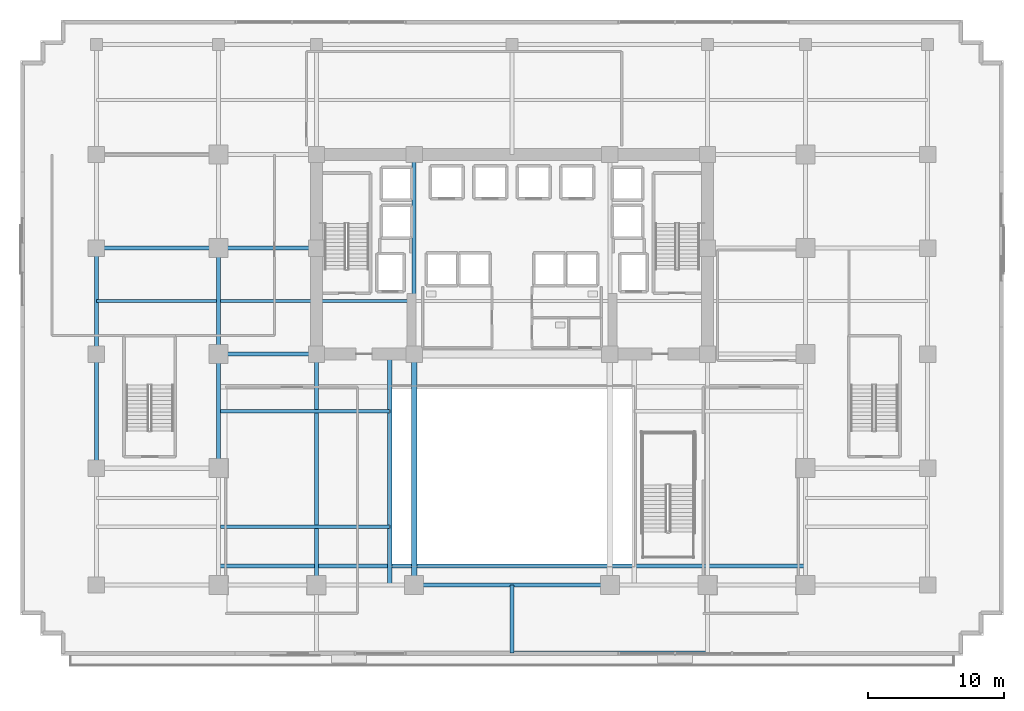
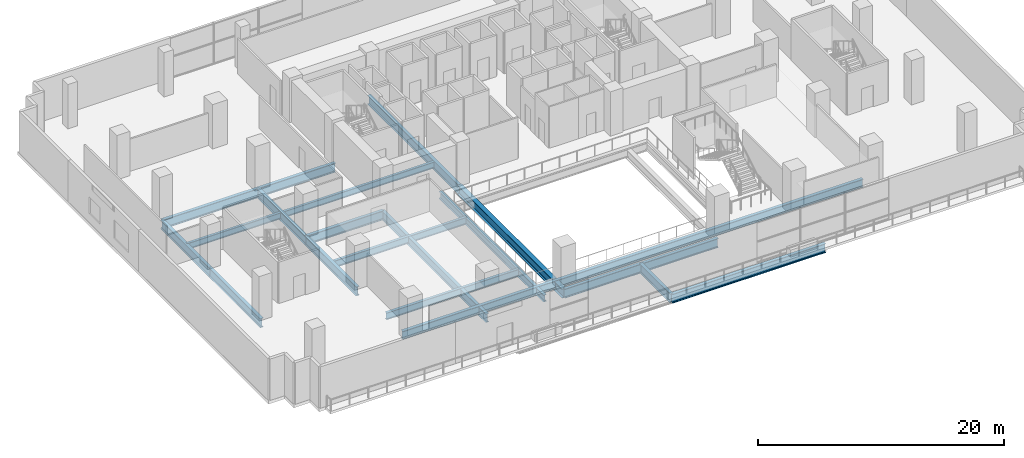
# One storey, part 3 of 23: 19 beams.
"""IFC4 building model written with IfcOpenShell, lengths in metres."""

import ifcopenshell
import ifcopenshell.guid

model = None  # the IFC model being written
_history = None  # IfcOwnerHistory: only IFC2X3 demands one
_inside = {}  # id of a spatial element -> (the spatial element, [elements in it])
_under = {}  # id of a project, library or spatial element -> (it, [spatial elements below it])
_declared = {}  # id of a project -> (the project, [libraries it declares])
_typed = {}  # id of a type object -> (the type object, [elements of that type])
_made_of = {}  # id of a material, layer set ... -> (it, [elements and type objects made of it])


def new_model(schema):
    """Start an empty IFC model of exactly this schema.

    Asked for "IFC4X3", IfcOpenShell would pick the latest addendum, in which some entities
    have other attributes; the version numbers below select the first issue.
    IFC2X3 requires an IfcOwnerHistory on every rooted entity: one is made here for all.
    """
    global model, _history
    if schema == "IFC4X3":
        model = ifcopenshell.file(schema_version=(4, 3, 0, 0))
    else:
        model = ifcopenshell.file(schema=schema)
    _inside.clear()
    _under.clear()
    _declared.clear()
    _typed.clear()
    _made_of.clear()
    _history = None
    if model.schema == "IFC2X3":
        org = make("IfcOrganization", Name="unknown")
        user = make(
            "IfcPersonAndOrganization",
            ThePerson=make("IfcPerson", FamilyName="unknown"),
            TheOrganization=org,
        )
        app = make(
            "IfcApplication",
            ApplicationDeveloper=org,
            Version="unknown",
            ApplicationFullName="unknown",
            ApplicationIdentifier="unknown",
        )
        _history = make(
            "IfcOwnerHistory",
            OwningUser=user,
            OwningApplication=app,
            ChangeAction="ADDED",
            CreationDate=0,
        )
    return model


def make(cls, **values):
    """One entity of the class cls with the attributes given. An attribute that is None is left unset."""
    return model.create_entity(
        cls, **{name: value for name, value in values.items() if value is not None}
    )


def rooted(cls, **values):
    """An entity with a GlobalId (a new one), such as an element, a storey or a relation."""
    return make(cls, GlobalId=ifcopenshell.guid.new(), OwnerHistory=_history, **values)


def si_unit(unit_type, name, prefix=None):
    """IfcSIUnit, for example si_unit("LENGTHUNIT", "METRE", prefix="MILLI")."""
    return make("IfcSIUnit", UnitType=unit_type, Prefix=prefix, Name=name)


def assignment(units):
    """IfcUnitAssignment: the units of a project."""
    return None if units is None else make("IfcUnitAssignment", Units=units)


def point(xyz):
    """IfcCartesianPoint."""
    return None if xyz is None else make("IfcCartesianPoint", Coordinates=xyz)


def direction(xyz):
    """IfcDirection."""
    return None if xyz is None else make("IfcDirection", DirectionRatios=xyz)


def frame(location, z_axis=None, x_axis=None):
    """IfcAxis2Placement3D, a coordinate frame: its origin and axes. An axis left out is left unset."""
    return make(
        "IfcAxis2Placement3D",
        Location=point(location),
        Axis=direction(z_axis),
        RefDirection=direction(x_axis),
    )


def frame_2d(location, x_axis=None):
    """IfcAxis2Placement2D, a coordinate frame in the plane: its origin and x axis."""
    return make(
        "IfcAxis2Placement2D", Location=point(location), RefDirection=direction(x_axis)
    )


def origin():
    """The frame at (0, 0, 0) with its axes left unset."""
    return frame((0.0, 0.0, 0.0))


def origin_2d():
    """The frame at (0, 0) in the plane with its x axis left unset."""
    return frame_2d((0.0, 0.0))


def place(relative_to, where):
    """IfcLocalPlacement: puts the frame where relative to a parent placement (None: the world)."""
    return make(
        "IfcLocalPlacement", PlacementRelTo=relative_to, RelativePlacement=where
    )


def context(
    kind, dimensions, precision=None, world=None, true_north=None, identifier=None
):
    """IfcGeometricRepresentationContext, for example the 3D "Model" context."""
    return make(
        "IfcGeometricRepresentationContext",
        ContextIdentifier=identifier,
        ContextType=kind,
        CoordinateSpaceDimension=dimensions,
        Precision=precision,
        WorldCoordinateSystem=world,
        TrueNorth=true_north,
    )


def subcontext(parent, identifier, kind, view, scale=None):
    """IfcGeometricRepresentationSubContext, for example "Body" below "Model"."""
    return make(
        "IfcGeometricRepresentationSubContext",
        ContextIdentifier=identifier,
        ContextType=kind,
        ParentContext=parent,
        TargetScale=scale,
        TargetView=view,
    )


def project(units=None, contexts=None):
    """IfcProject with its units and contexts."""
    return rooted(
        "IfcProject",
        Name="project",
        RepresentationContexts=contexts,
        UnitsInContext=assignment(units),
    )


def spatial(cls, under=None, at=None, **own):
    """A site, building, storey or space (cls), placed at a placement, below another one or the project."""
    s = rooted(cls, ObjectPlacement=at, **own)
    if under is not None:
        _under.setdefault(under.id(), (under, []))[1].append(s)
    return s


def profile(cls, at=None, kind="AREA", **sizes):
    """A parametric profile (cls). Its sizes go by their IFC names, for example OverallWidth=200.0."""
    return make(cls, ProfileType=kind, Position=at, **sizes)


def i_section(**sizes):
    """IfcIShapeProfileDef."""
    return profile("IfcIShapeProfileDef", **sizes)


def extrude(swept, where, along, depth):
    """IfcExtrudedAreaSolid: the profile swept, set in the frame where, extruded along a direction by depth."""
    return make(
        "IfcExtrudedAreaSolid",
        SweptArea=swept,
        Position=where,
        ExtrudedDirection=direction(along),
        Depth=depth,
    )


def shape(context_of_items, identifier, shape_type, items):
    """IfcShapeRepresentation: the items that make up one representation, for example the "Body"."""
    return make(
        "IfcShapeRepresentation",
        ContextOfItems=context_of_items,
        RepresentationIdentifier=identifier,
        RepresentationType=shape_type,
        Items=items,
    )


def material(Name=None, Category=None):
    """IfcMaterial."""
    return make("IfcMaterial", Name=Name, Category=Category)


def material_profile(
    of_material, cross_section, Name=None, Category=None, Priority=None
):
    """IfcMaterialProfile: a cross section and its material."""
    return make(
        "IfcMaterialProfile",
        Name=Name,
        Material=of_material,
        Profile=cross_section,
        Priority=Priority,
        Category=Category,
    )


def profile_set(profiles, Name=None, composite=None):
    """IfcMaterialProfileSet."""
    return make(
        "IfcMaterialProfileSet",
        Name=Name,
        MaterialProfiles=profiles,
        CompositeProfile=composite,
    )


def made_of(thing, what):
    """Note that an element or type object is made of a material, layer set ...; save() writes the relation."""
    if what is not None:
        _made_of.setdefault(what.id(), (what, []))[1].append(thing)
    return thing


def type_object(cls, material=None, **own):
    """A type object (cls), such as IfcWallType, which elements share."""
    return made_of(rooted(cls, **own), material)


def element(
    cls,
    number,
    at=None,
    inside=None,
    cuts=None,
    type_object=None,
    material=None,
    context=None,
    identifier="Body",
    shape_type=None,
    held_by="IfcProductDefinitionShape",
    body=None,
    shapes=None,
    **own,
):
    """One element of the class cls, such as IfcWall. Its Tag is "e" and its number.

    at: its placement. inside: the storey or other place that contains it. cuts: it is an
    opening in that element (IfcRelVoidsElement). A single representation is given by context,
    identifier, shape_type and body (its items); several are given by shapes. held_by: the class
    of the entity that holds the representations. save() writes the other relations.
    """
    e = rooted(cls, Tag="e%d" % number, ObjectPlacement=at, **own)
    if body is not None:
        shapes = [shape(context, identifier, shape_type, body)]
    if shapes is not None:
        e.Representation = make(held_by, Representations=shapes)
    if inside is not None:
        _inside.setdefault(inside.id(), (inside, []))[1].append(e)
    if cuts is not None:
        rooted(
            "IfcRelVoidsElement", RelatingBuildingElement=cuts, RelatedOpeningElement=e
        )
    if type_object is not None:
        _typed.setdefault(type_object.id(), (type_object, []))[1].append(e)
    return made_of(e, material)


def aggregate(whole, parts):
    """IfcRelAggregates: a whole, such as a stair, and the parts it consists of."""
    return rooted("IfcRelAggregates", RelatingObject=whole, RelatedObjects=parts)


def save(model, path):
    """Write the relations noted so far, then the file.

    IfcRelAggregates (storeys below a building ...), IfcRelContainedInSpatialStructure (elements
    in a storey), IfcRelDefinesByType, IfcRelAssociatesMaterial and IfcRelDeclares: one each for
    every whole, place, type object, material and project.
    """
    for whole, parts in _under.values():
        aggregate(whole, parts)
    for where, things in _inside.values():
        rooted(
            "IfcRelContainedInSpatialStructure",
            RelatedElements=things,
            RelatingStructure=where,
        )
    for kind, things in _typed.values():
        rooted("IfcRelDefinesByType", RelatedObjects=things, RelatingType=kind)
    for what, things in _made_of.values():
        rooted("IfcRelAssociatesMaterial", RelatedObjects=things, RelatingMaterial=what)
    for by, libraries in _declared.values():
        rooted("IfcRelDeclares", RelatingContext=by, RelatedDefinitions=libraries)
    model.write(path)


model = new_model("IFC4")

# Units and contexts
model_context = context("Model", 3, precision=1e-05, world=origin(), true_north=direction((0.0, 1.0)))
body_context = subcontext(model_context, "Body", "Model", "MODEL_VIEW")
ifc_project = project(units=[si_unit("LENGTHUNIT", "METRE"), si_unit("AREAUNIT", "SQUARE_METRE"), si_unit("VOLUMEUNIT", "CUBIC_METRE"), si_unit("PLANEANGLEUNIT", "RADIAN"), si_unit("MASSUNIT", "GRAM", prefix="KILO")], contexts=[model_context])

# Site, building, storey
site_placement = place(None, origin())
site = spatial("IfcSite", under=ifc_project, at=site_placement, CompositionType="ELEMENT")
building_placement = place(site_placement, origin())
building = spatial("IfcBuilding", under=site, at=building_placement, Name="Zarnakvel Exchange Tower", CompositionType="ELEMENT")
storey_placement = place(building_placement, frame((0.0, 0.0, 13.800048828125)))
storey = spatial("IfcBuildingStorey", under=building, at=storey_placement, Name="L03", CompositionType="ELEMENT", Elevation=13.800048828125)

# Beams
ifc_material = material(Name="Steel S355", Category="steel")
ifc_material_profile_1 = material_profile(ifc_material, i_section(OverallWidth=0.255859375, OverallDepth=0.69287109375, WebThickness=0.014404296875, FlangeThickness=0.023681640625, FilletRadius=0.01513671875, at=origin_2d()))
ifc_profile_set_1 = profile_set([ifc_material_profile_1], Name="Steel S355")
beam_type_1 = type_object("IfcBeamType", Name="B-01", PredefinedType="JOIST", material=ifc_profile_set_1)
beam_1_placement = place(storey_placement, frame((-21.449951171875, -13.89990234375, -0.646484375), z_axis=(1.0, 0.0, 0.0), x_axis=(0.0, 1.0, 0.0)))
element("IfcBeam", 1, at=beam_1_placement, inside=storey, type_object=beam_type_1, Name="L03 Exchange Hall Atrium Trimmer West", PredefinedType="JOIST", context=body_context, shape_type="SweptSolid", body=[
    extrude(i_section(OverallWidth=0.255859375, OverallDepth=0.69287109375, WebThickness=0.014404296875, FlangeThickness=0.023681640625, FilletRadius=0.01513671875, at=origin_2d()), origin(), (0.0, 0.0, 1.0), 12.449951171875),
])
beam_2_placement = place(storey_placement, frame((-21.60009765625, -5.39990234375, -0.646484375), z_axis=(1.0, 0.0, 0.0), x_axis=(0.0, 1.0, 0.0)))
element("IfcBeam", 2, at=beam_2_placement, inside=storey, type_object=beam_type_1, Name="L03 Exchange Hall Atrium Trimmer West", PredefinedType="JOIST", context=body_context, shape_type="SweptSolid", body=[
    extrude(i_section(OverallWidth=0.255859375, OverallDepth=0.69287109375, WebThickness=0.014404296875, FlangeThickness=0.023681640625, FilletRadius=0.01513671875, at=origin_2d()), origin(), (0.0, 0.0, 1.0), 12.60009765625),
])
ifc_material_profile_2 = material_profile(ifc_material, i_section(OverallWidth=0.230224609375, OverallDepth=0.6171875, WebThickness=0.01318359375, FlangeThickness=0.022216796875, FilletRadius=0.0126953125, at=origin_2d()))
ifc_profile_set_2 = profile_set([ifc_material_profile_2], Name="Steel S355")
beam_type_2 = type_object("IfcBeamType", Name="B-02", PredefinedType="JOIST", material=ifc_profile_set_2)
beam_3_placement = place(storey_placement, frame((-30.60009765625, 2.699951171875, -0.608642578125), z_axis=(1.0, 0.0, 0.0), x_axis=(0.0, 1.0, 0.0)))
element("IfcBeam", 3, at=beam_3_placement, inside=storey, type_object=beam_type_2, Name="L03 Secondary Floor Joist", PredefinedType="JOIST", context=body_context, shape_type="SweptSolid", body=[
    extrude(i_section(OverallWidth=0.230224609375, OverallDepth=0.6171875, WebThickness=0.01318359375, FlangeThickness=0.022216796875, FilletRadius=0.0126953125, at=origin_2d()), origin(), (0.0, 0.0, 1.0), 8.85009765625),
])
beam_4_placement = place(storey_placement, frame((-21.449951171875, 2.699951171875, -0.608642578125), z_axis=(1.0, 0.0, 0.0), x_axis=(0.0, 1.0, 0.0)))
element("IfcBeam", 4, at=beam_4_placement, inside=storey, type_object=beam_type_2, Name="L03 Secondary Floor Joist", PredefinedType="JOIST", context=body_context, shape_type="SweptSolid", body=[
    extrude(i_section(OverallWidth=0.230224609375, OverallDepth=0.6171875, WebThickness=0.01318359375, FlangeThickness=0.022216796875, FilletRadius=0.0126953125, at=origin_2d()), origin(), (0.0, 0.0, 1.0), 14.099853515625),
])
ifc_material_profile_3 = material_profile(ifc_material, i_section(OverallWidth=0.300048828125, OverallDepth=0.89990234375, WebThickness=0.0185546875, FlangeThickness=0.034912109375, FilletRadius=0.030029296875, at=origin_2d()))
ifc_profile_set_3 = profile_set([ifc_material_profile_3], Name="Steel S355")
beam_type_3 = type_object("IfcBeamType", Name="G-01", PredefinedType="BEAM", material=ifc_profile_set_3)
beam_5_placement = place(storey_placement, frame((-7.199951171875, -18.199951171875, -0.75), z_axis=(1.0, 0.0, 0.0), x_axis=(0.0, 1.0, 0.0)))
element("IfcBeam", 5, at=beam_5_placement, inside=storey, type_object=beam_type_3, Name="L03 Primary E-W Girder Y=-18.2", PredefinedType="BEAM", context=body_context, shape_type="SweptSolid", body=[
    extrude(i_section(OverallWidth=0.300048828125, OverallDepth=0.89990234375, WebThickness=0.0185546875, FlangeThickness=0.034912109375, FilletRadius=0.030029296875, at=origin_2d()), origin(), (0.0, 0.0, 1.0), 14.39990234375),
])
beam_6_placement = place(storey_placement, frame((-21.60009765625, -1.199951171875, -0.75), z_axis=(1.0, 0.0, 0.0), x_axis=(0.0, 1.0, 0.0)))
element("IfcBeam", 6, at=beam_6_placement, inside=storey, type_object=beam_type_3, Name="L03 Primary E-W Girder Y=-1.2", PredefinedType="BEAM", context=body_context, shape_type="SweptSolid", body=[
    extrude(i_section(OverallWidth=0.300048828125, OverallDepth=0.89990234375, WebThickness=0.0185546875, FlangeThickness=0.034912109375, FilletRadius=0.030029296875, at=origin_2d()), origin(), (0.0, 0.0, 1.0), 7.2001953125),
])
beam_7_placement = place(storey_placement, frame((-30.60009765625, 6.60009765625, -0.75), z_axis=(1.0, 0.0, 0.0), x_axis=(0.0, 1.0, 0.0)))
element("IfcBeam", 7, at=beam_7_placement, inside=storey, type_object=beam_type_3, Name="L03 Primary E-W Girder Y=+6.6", PredefinedType="BEAM", context=body_context, shape_type="SweptSolid", body=[
    extrude(i_section(OverallWidth=0.300048828125, OverallDepth=0.89990234375, WebThickness=0.0185546875, FlangeThickness=0.034912109375, FilletRadius=0.030029296875, at=origin_2d()), origin(), (0.0, 0.0, 1.0), 9.0),
])
beam_8_placement = place(storey_placement, frame((-21.60009765625, 6.60009765625, -0.75), z_axis=(1.0, 0.0, 0.0), x_axis=(0.0, 1.0, 0.0)))
element("IfcBeam", 8, at=beam_8_placement, inside=storey, type_object=beam_type_3, Name="L03 Primary E-W Girder Y=+6.6", PredefinedType="BEAM", context=body_context, shape_type="SweptSolid", body=[
    extrude(i_section(OverallWidth=0.300048828125, OverallDepth=0.89990234375, WebThickness=0.0185546875, FlangeThickness=0.034912109375, FilletRadius=0.030029296875, at=origin_2d()), origin(), (0.0, 0.0, 1.0), 7.2001953125),
])
beam_9_placement = place(storey_placement, frame((0.0, -23.199951171875, -0.75), z_axis=(1.0, 0.0, 0.0), x_axis=(0.0, 1.0, 0.0)))
element("IfcBeam", 9, at=beam_9_placement, inside=storey, type_object=beam_type_3, Name="L03 Primary E-W Girder Y=-23.2", PredefinedType="BEAM", context=body_context, shape_type="SweptSolid", body=[
    extrude(i_section(OverallWidth=0.300048828125, OverallDepth=0.89990234375, WebThickness=0.0185546875, FlangeThickness=0.034912109375, FilletRadius=0.030029296875, at=origin_2d()), origin(), (0.0, 0.0, 1.0), 14.39990234375),
])
beam_10_placement = place(storey_placement, frame((-30.60009765625, -9.60009765625, -0.75), z_axis=(0.0, 1.0, 0.0), x_axis=(-1.0, 0.0, 0.0)))
element("IfcBeam", 10, at=beam_10_placement, inside=storey, type_object=beam_type_3, Name="L03 Primary N-S Girder X=-30.6", PredefinedType="BEAM", context=body_context, shape_type="SweptSolid", body=[
    extrude(i_section(OverallWidth=0.300048828125, OverallDepth=0.89990234375, WebThickness=0.0185546875, FlangeThickness=0.034912109375, FilletRadius=0.030029296875, at=origin_2d()), origin(), (0.0, 0.0, 1.0), 8.400146484375),
])
beam_11_placement = place(storey_placement, frame((-30.60009765625, -1.199951171875, -0.75), z_axis=(0.0, 1.0, 0.0), x_axis=(-1.0, 0.0, 0.0)))
element("IfcBeam", 11, at=beam_11_placement, inside=storey, type_object=beam_type_3, Name="L03 Primary N-S Girder X=-30.6", PredefinedType="BEAM", context=body_context, shape_type="SweptSolid", body=[
    extrude(i_section(OverallWidth=0.300048828125, OverallDepth=0.89990234375, WebThickness=0.0185546875, FlangeThickness=0.034912109375, FilletRadius=0.030029296875, at=origin_2d()), origin(), (0.0, 0.0, 1.0), 7.800048828125),
])
beam_12_placement = place(storey_placement, frame((-21.60009765625, -9.60009765625, -0.75), z_axis=(0.0, 1.0, 0.0), x_axis=(-1.0, 0.0, 0.0)))
element("IfcBeam", 12, at=beam_12_placement, inside=storey, type_object=beam_type_3, Name="L03 Primary N-S Girder X=-21.6", PredefinedType="BEAM", context=body_context, shape_type="SweptSolid", body=[
    extrude(i_section(OverallWidth=0.300048828125, OverallDepth=0.89990234375, WebThickness=0.0185546875, FlangeThickness=0.034912109375, FilletRadius=0.030029296875, at=origin_2d()), origin(), (0.0, 0.0, 1.0), 8.400146484375),
])
beam_13_placement = place(storey_placement, frame((-21.60009765625, -1.199951171875, -0.75), z_axis=(0.0, 1.0, 0.0), x_axis=(-1.0, 0.0, 0.0)))
element("IfcBeam", 13, at=beam_13_placement, inside=storey, type_object=beam_type_3, Name="L03 Primary N-S Girder X=-21.6", PredefinedType="BEAM", context=body_context, shape_type="SweptSolid", body=[
    extrude(i_section(OverallWidth=0.300048828125, OverallDepth=0.89990234375, WebThickness=0.0185546875, FlangeThickness=0.034912109375, FilletRadius=0.030029296875, at=origin_2d()), origin(), (0.0, 0.0, 1.0), 7.800048828125),
])
beam_14_placement = place(storey_placement, frame((-7.199951171875, -1.199951171875, -0.75), z_axis=(0.0, 1.0, 0.0), x_axis=(-1.0, 0.0, 0.0)))
element("IfcBeam", 14, at=beam_14_placement, inside=storey, type_object=beam_type_3, Name="L03 Primary N-S Girder X=-7.2", PredefinedType="BEAM", context=body_context, shape_type="SweptSolid", body=[
    extrude(i_section(OverallWidth=0.300048828125, OverallDepth=0.89990234375, WebThickness=0.0185546875, FlangeThickness=0.034912109375, FilletRadius=0.030029296875, at=origin_2d()), origin(), (0.0, 0.0, 1.0), 14.699951171875),
])
beam_15_placement = place(storey_placement, frame((0.0, -23.199951171875, -0.75), z_axis=(0.0, 1.0, 0.0), x_axis=(-1.0, 0.0, 0.0)))
element("IfcBeam", 15, at=beam_15_placement, inside=storey, type_object=beam_type_3, Name="L03 Primary N-S Girder X=+0.0 South", PredefinedType="BEAM", context=body_context, shape_type="SweptSolid", body=[
    extrude(i_section(OverallWidth=0.300048828125, OverallDepth=0.89990234375, WebThickness=0.0185546875, FlangeThickness=0.034912109375, FilletRadius=0.030029296875, at=origin_2d()), origin(), (0.0, 0.0, 1.0), 5.0),
])
ifc_material_profile_4 = material_profile(ifc_material, i_section(OverallWidth=0.300048828125, OverallDepth=0.800048828125, WebThickness=0.017578125, FlangeThickness=0.032958984375, FilletRadius=0.030029296875, at=origin_2d()))
ifc_profile_set_4 = profile_set([ifc_material_profile_4], Name="Steel S355")
beam_type_4 = type_object("IfcBeamType", Name="G-02", PredefinedType="BEAM", material=ifc_profile_set_4)
beam_16_placement = place(storey_placement, frame((-21.60009765625, -16.800048828125, -0.699951171875), z_axis=(1.0, 0.0, 0.0), x_axis=(0.0, 1.0, 0.0)))
element("IfcBeam", 16, at=beam_16_placement, inside=storey, type_object=beam_type_4, Name="L03 Atrium South Edge Trimmer Girder", PredefinedType="BEAM", context=body_context, shape_type="SweptSolid", body=[
    extrude(i_section(OverallWidth=0.300048828125, OverallDepth=0.800048828125, WebThickness=0.017578125, FlangeThickness=0.032958984375, FilletRadius=0.030029296875, at=origin_2d()), origin(), (0.0, 0.0, 1.0), 43.2001953125),
])
ifc_material_profile_5 = material_profile(ifc_material, i_section(OverallWidth=0.300048828125, OverallDepth=0.699951171875, WebThickness=0.01708984375, FlangeThickness=0.031982421875, FilletRadius=0.027099609375, at=origin_2d()))
ifc_profile_set_5 = profile_set([ifc_material_profile_5], Name="Steel S355")
beam_type_5 = type_object("IfcBeamType", Name="G-03", PredefinedType="BEAM", material=ifc_profile_set_5)
beam_17_placement = place(storey_placement, frame((-9.0, -18.199951171875, -0.650146484375), z_axis=(0.0, 1.0, 0.0), x_axis=(-1.0, 0.0, 0.0)))
element("IfcBeam", 17, at=beam_17_placement, inside=storey, type_object=beam_type_5, Name="L03 Atrium West Edge Girder", PredefinedType="BEAM", context=body_context, shape_type="SweptSolid", body=[
    extrude(i_section(OverallWidth=0.300048828125, OverallDepth=0.699951171875, WebThickness=0.01708984375, FlangeThickness=0.031982421875, FilletRadius=0.027099609375, at=origin_2d()), origin(), (0.0, 0.0, 1.0), 17.0),
])
ifc_material_profile_6 = material_profile(ifc_material, i_section(OverallWidth=0.42041015625, OverallDepth=0.9208984375, WebThickness=0.021484375, FlangeThickness=0.03662109375, FilletRadius=0.024169921875, at=origin_2d()))
ifc_profile_set_6 = profile_set([ifc_material_profile_6], Name="Steel S355")
beam_type_6 = type_object("IfcBeamType", Name="TB-01", PredefinedType="T_BEAM", material=ifc_profile_set_6)
beam_18_placement = place(storey_placement, frame((-7.199951171875, -18.199951171875, -0.760498046875), z_axis=(0.0, 1.0, 0.0), x_axis=(-1.0, 0.0, 0.0)))
element("IfcBeam", 18, at=beam_18_placement, inside=storey, type_object=beam_type_6, Name="L03 Primary N-S Girder X=-7.2", PredefinedType="T_BEAM", context=body_context, shape_type="SweptSolid", body=[
    extrude(i_section(OverallWidth=0.42041015625, OverallDepth=0.9208984375, WebThickness=0.021484375, FlangeThickness=0.03662109375, FilletRadius=0.024169921875, at=origin_2d()), origin(), (0.0, 0.0, 1.0), 17.0),
])
ifc_material_profile_7 = material_profile(ifc_material, i_section(OverallWidth=0.293701171875, OverallDepth=0.850830078125, WebThickness=0.01611328125, FlangeThickness=0.02685546875, FilletRadius=0.017822265625, at=origin_2d()))
ifc_profile_set_7 = profile_set([ifc_material_profile_7], Name="Steel S355")
beam_type_7 = type_object("IfcBeamType", Name="TB-02", PredefinedType="T_BEAM", material=ifc_profile_set_7)
beam_19_placement = place(storey_placement, frame((-14.39990234375, -18.199951171875, -0.7255859375), z_axis=(0.0, 1.0, 0.0), x_axis=(-1.0, 0.0, 0.0)))
element("IfcBeam", 19, at=beam_19_placement, inside=storey, type_object=beam_type_7, Name="L03 Primary N-S Girder X=-14.4", PredefinedType="T_BEAM", context=body_context, shape_type="SweptSolid", body=[
    extrude(i_section(OverallWidth=0.293701171875, OverallDepth=0.850830078125, WebThickness=0.01611328125, FlangeThickness=0.02685546875, FilletRadius=0.017822265625, at=origin_2d()), origin(), (0.0, 0.0, 1.0), 17.0),
])

save(model, "model.ifc")
